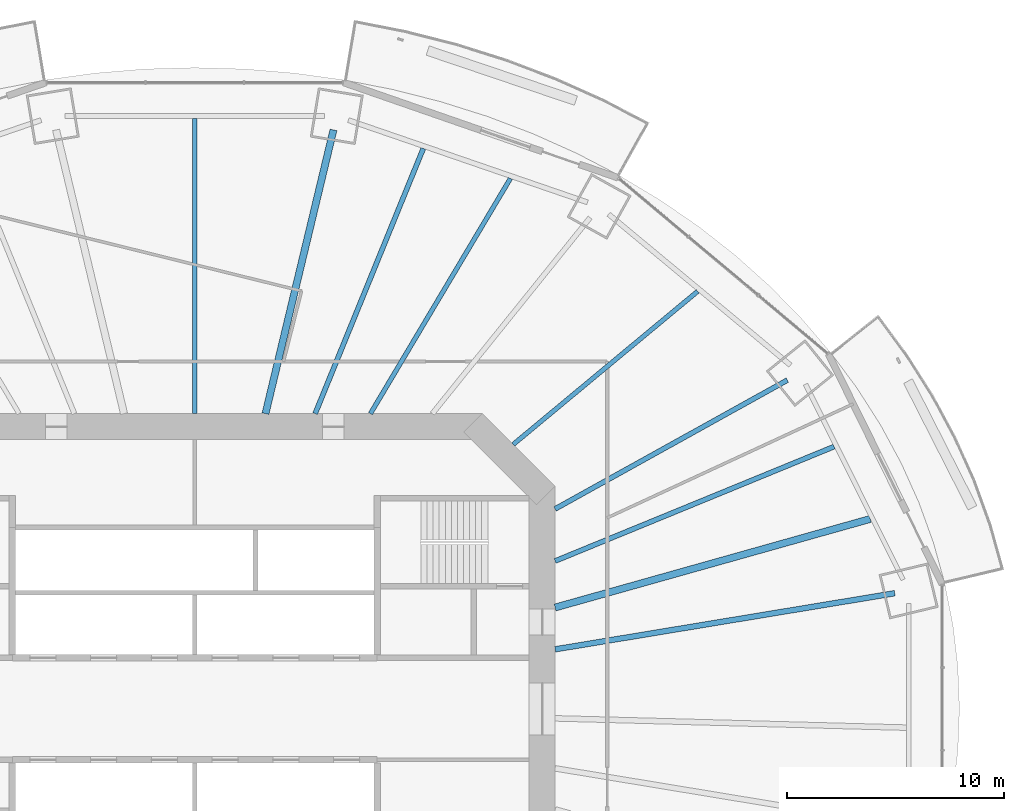
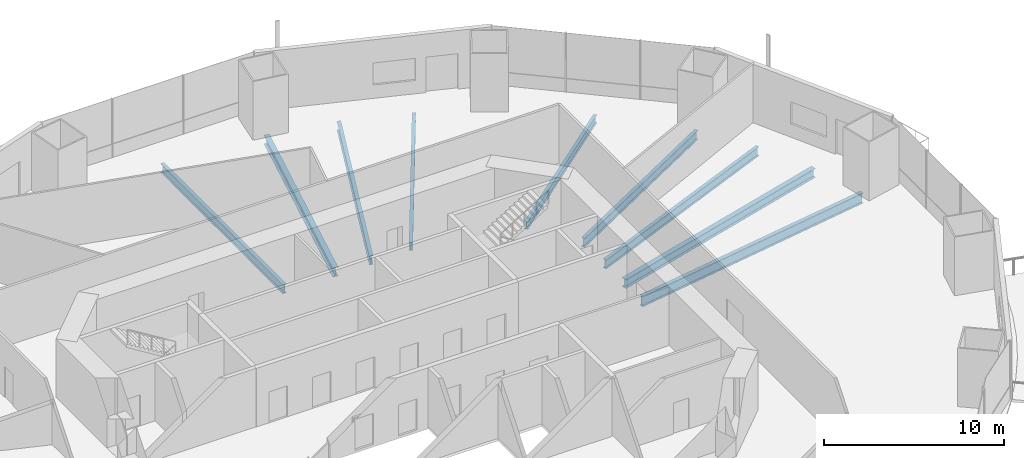
# One storey, part 8 of 22: 9 beams.
"""IFC4 building model written with IfcOpenShell, lengths in metres."""

import ifcopenshell
import ifcopenshell.guid

model = None  # the IFC model being written
_history = None  # IfcOwnerHistory: only IFC2X3 demands one
_inside = {}  # id of a spatial element -> (the spatial element, [elements in it])
_under = {}  # id of a project, library or spatial element -> (it, [spatial elements below it])
_declared = {}  # id of a project -> (the project, [libraries it declares])
_typed = {}  # id of a type object -> (the type object, [elements of that type])
_made_of = {}  # id of a material, layer set ... -> (it, [elements and type objects made of it])


def new_model(schema):
    """Start an empty IFC model of exactly this schema.

    Asked for "IFC4X3", IfcOpenShell would pick the latest addendum, in which some entities
    have other attributes; the version numbers below select the first issue.
    IFC2X3 requires an IfcOwnerHistory on every rooted entity: one is made here for all.
    """
    global model, _history
    if schema == "IFC4X3":
        model = ifcopenshell.file(schema_version=(4, 3, 0, 0))
    else:
        model = ifcopenshell.file(schema=schema)
    _inside.clear()
    _under.clear()
    _declared.clear()
    _typed.clear()
    _made_of.clear()
    _history = None
    if model.schema == "IFC2X3":
        org = make("IfcOrganization", Name="unknown")
        user = make(
            "IfcPersonAndOrganization",
            ThePerson=make("IfcPerson", FamilyName="unknown"),
            TheOrganization=org,
        )
        app = make(
            "IfcApplication",
            ApplicationDeveloper=org,
            Version="unknown",
            ApplicationFullName="unknown",
            ApplicationIdentifier="unknown",
        )
        _history = make(
            "IfcOwnerHistory",
            OwningUser=user,
            OwningApplication=app,
            ChangeAction="ADDED",
            CreationDate=0,
        )
    return model


def make(cls, **values):
    """One entity of the class cls with the attributes given. An attribute that is None is left unset."""
    return model.create_entity(
        cls, **{name: value for name, value in values.items() if value is not None}
    )


def rooted(cls, **values):
    """An entity with a GlobalId (a new one), such as an element, a storey or a relation."""
    return make(cls, GlobalId=ifcopenshell.guid.new(), OwnerHistory=_history, **values)


def si_unit(unit_type, name, prefix=None):
    """IfcSIUnit, for example si_unit("LENGTHUNIT", "METRE", prefix="MILLI")."""
    return make("IfcSIUnit", UnitType=unit_type, Prefix=prefix, Name=name)


def assignment(units):
    """IfcUnitAssignment: the units of a project."""
    return None if units is None else make("IfcUnitAssignment", Units=units)


def point(xyz):
    """IfcCartesianPoint."""
    return None if xyz is None else make("IfcCartesianPoint", Coordinates=xyz)


def direction(xyz):
    """IfcDirection."""
    return None if xyz is None else make("IfcDirection", DirectionRatios=xyz)


def frame(location, z_axis=None, x_axis=None):
    """IfcAxis2Placement3D, a coordinate frame: its origin and axes. An axis left out is left unset."""
    return make(
        "IfcAxis2Placement3D",
        Location=point(location),
        Axis=direction(z_axis),
        RefDirection=direction(x_axis),
    )


def frame_2d(location, x_axis=None):
    """IfcAxis2Placement2D, a coordinate frame in the plane: its origin and x axis."""
    return make(
        "IfcAxis2Placement2D", Location=point(location), RefDirection=direction(x_axis)
    )


def origin():
    """The frame at (0, 0, 0) with its axes left unset."""
    return frame((0.0, 0.0, 0.0))


def origin_2d():
    """The frame at (0, 0) in the plane with its x axis left unset."""
    return frame_2d((0.0, 0.0))


def place(relative_to, where):
    """IfcLocalPlacement: puts the frame where relative to a parent placement (None: the world)."""
    return make(
        "IfcLocalPlacement", PlacementRelTo=relative_to, RelativePlacement=where
    )


def context(
    kind, dimensions, precision=None, world=None, true_north=None, identifier=None
):
    """IfcGeometricRepresentationContext, for example the 3D "Model" context."""
    return make(
        "IfcGeometricRepresentationContext",
        ContextIdentifier=identifier,
        ContextType=kind,
        CoordinateSpaceDimension=dimensions,
        Precision=precision,
        WorldCoordinateSystem=world,
        TrueNorth=true_north,
    )


def subcontext(parent, identifier, kind, view, scale=None):
    """IfcGeometricRepresentationSubContext, for example "Body" below "Model"."""
    return make(
        "IfcGeometricRepresentationSubContext",
        ContextIdentifier=identifier,
        ContextType=kind,
        ParentContext=parent,
        TargetScale=scale,
        TargetView=view,
    )


def project(units=None, contexts=None):
    """IfcProject with its units and contexts."""
    return rooted(
        "IfcProject",
        Name="project",
        RepresentationContexts=contexts,
        UnitsInContext=assignment(units),
    )


def spatial(cls, under=None, at=None, **own):
    """A site, building, storey or space (cls), placed at a placement, below another one or the project."""
    s = rooted(cls, ObjectPlacement=at, **own)
    if under is not None:
        _under.setdefault(under.id(), (under, []))[1].append(s)
    return s


def profile(cls, at=None, kind="AREA", **sizes):
    """A parametric profile (cls). Its sizes go by their IFC names, for example OverallWidth=200.0."""
    return make(cls, ProfileType=kind, Position=at, **sizes)


def i_section(**sizes):
    """IfcIShapeProfileDef."""
    return profile("IfcIShapeProfileDef", **sizes)


def extrude(swept, where, along, depth):
    """IfcExtrudedAreaSolid: the profile swept, set in the frame where, extruded along a direction by depth."""
    return make(
        "IfcExtrudedAreaSolid",
        SweptArea=swept,
        Position=where,
        ExtrudedDirection=direction(along),
        Depth=depth,
    )


def shape(context_of_items, identifier, shape_type, items):
    """IfcShapeRepresentation: the items that make up one representation, for example the "Body"."""
    return make(
        "IfcShapeRepresentation",
        ContextOfItems=context_of_items,
        RepresentationIdentifier=identifier,
        RepresentationType=shape_type,
        Items=items,
    )


def material(Name=None, Category=None):
    """IfcMaterial."""
    return make("IfcMaterial", Name=Name, Category=Category)


def material_profile(
    of_material, cross_section, Name=None, Category=None, Priority=None
):
    """IfcMaterialProfile: a cross section and its material."""
    return make(
        "IfcMaterialProfile",
        Name=Name,
        Material=of_material,
        Profile=cross_section,
        Priority=Priority,
        Category=Category,
    )


def profile_set(profiles, Name=None, composite=None):
    """IfcMaterialProfileSet."""
    return make(
        "IfcMaterialProfileSet",
        Name=Name,
        MaterialProfiles=profiles,
        CompositeProfile=composite,
    )


def made_of(thing, what):
    """Note that an element or type object is made of a material, layer set ...; save() writes the relation."""
    if what is not None:
        _made_of.setdefault(what.id(), (what, []))[1].append(thing)
    return thing


def type_object(cls, material=None, **own):
    """A type object (cls), such as IfcWallType, which elements share."""
    return made_of(rooted(cls, **own), material)


def element(
    cls,
    number,
    at=None,
    inside=None,
    cuts=None,
    type_object=None,
    material=None,
    context=None,
    identifier="Body",
    shape_type=None,
    held_by="IfcProductDefinitionShape",
    body=None,
    shapes=None,
    **own,
):
    """One element of the class cls, such as IfcWall. Its Tag is "e" and its number.

    at: its placement. inside: the storey or other place that contains it. cuts: it is an
    opening in that element (IfcRelVoidsElement). A single representation is given by context,
    identifier, shape_type and body (its items); several are given by shapes. held_by: the class
    of the entity that holds the representations. save() writes the other relations.
    """
    e = rooted(cls, Tag="e%d" % number, ObjectPlacement=at, **own)
    if body is not None:
        shapes = [shape(context, identifier, shape_type, body)]
    if shapes is not None:
        e.Representation = make(held_by, Representations=shapes)
    if inside is not None:
        _inside.setdefault(inside.id(), (inside, []))[1].append(e)
    if cuts is not None:
        rooted(
            "IfcRelVoidsElement", RelatingBuildingElement=cuts, RelatedOpeningElement=e
        )
    if type_object is not None:
        _typed.setdefault(type_object.id(), (type_object, []))[1].append(e)
    return made_of(e, material)


def aggregate(whole, parts):
    """IfcRelAggregates: a whole, such as a stair, and the parts it consists of."""
    return rooted("IfcRelAggregates", RelatingObject=whole, RelatedObjects=parts)


def save(model, path):
    """Write the relations noted so far, then the file.

    IfcRelAggregates (storeys below a building ...), IfcRelContainedInSpatialStructure (elements
    in a storey), IfcRelDefinesByType, IfcRelAssociatesMaterial and IfcRelDeclares: one each for
    every whole, place, type object, material and project.
    """
    for whole, parts in _under.values():
        aggregate(whole, parts)
    for where, things in _inside.values():
        rooted(
            "IfcRelContainedInSpatialStructure",
            RelatedElements=things,
            RelatingStructure=where,
        )
    for kind, things in _typed.values():
        rooted("IfcRelDefinesByType", RelatedObjects=things, RelatingType=kind)
    for what, things in _made_of.values():
        rooted("IfcRelAssociatesMaterial", RelatedObjects=things, RelatingMaterial=what)
    for by, libraries in _declared.values():
        rooted("IfcRelDeclares", RelatingContext=by, RelatedDefinitions=libraries)
    model.write(path)


model = new_model("IFC4")

# Units and contexts
model_context = context("Model", 3, precision=1e-05, world=origin(), true_north=direction((0.0, 1.0)))
body_context = subcontext(model_context, "Body", "Model", "MODEL_VIEW")
ifc_project = project(units=[si_unit("LENGTHUNIT", "METRE"), si_unit("AREAUNIT", "SQUARE_METRE"), si_unit("VOLUMEUNIT", "CUBIC_METRE"), si_unit("PLANEANGLEUNIT", "RADIAN"), si_unit("MASSUNIT", "GRAM", prefix="KILO")], contexts=[model_context])

# Site, building, storey
site_placement = place(None, origin())
site = spatial("IfcSite", under=ifc_project, at=site_placement, CompositionType="ELEMENT")
building_placement = place(site_placement, origin())
building = spatial("IfcBuilding", under=site, at=building_placement, Name="Marenthal Gate Tower", CompositionType="ELEMENT")
storey_placement = place(building_placement, frame((0.0, 0.0, 86.949951171875)))
storey = spatial("IfcBuildingStorey", under=building, at=storey_placement, Name="L17", CompositionType="ELEMENT", Elevation=86.949951171875)

# Beams
ifc_material_1 = material(Name="Steel S355", Category="steel")
ifc_material_profile_1 = material_profile(ifc_material_1, i_section(OverallWidth=0.2099609375, OverallDepth=0.535888671875, WebThickness=0.010986328125, FlangeThickness=0.017333984375, FilletRadius=0.0126953125, at=origin_2d()), Name="W530X101")
ifc_profile_set_1 = profile_set([ifc_material_profile_1], Name="Steel S355")
beam_type_1 = type_object("IfcBeamType", Name="W530X101 beam", PredefinedType="BEAM", material=ifc_profile_set_1)
beam_1_placement = place(storey_placement, frame((23.164794921875, 19.23193359375, -0.447998046875), z_axis=(-0.769390815443, -0.638778344273, 0.0), x_axis=(0.638778344273, -0.769390815443, 0.0)))
element("IfcBeam", 1, at=beam_1_placement, inside=storey, type_object=beam_type_1, Name="BM-L17-19", PredefinedType="BEAM", context=body_context, shape_type="SweptSolid", body=[
    extrude(i_section(OverallWidth=0.2099609375, OverallDepth=0.535888671875, WebThickness=0.010986328125, FlangeThickness=0.017333984375, FilletRadius=0.0126953125, at=origin_2d()), origin(), (0.0, 0.0, 1.0), 11.041259765625),
])
ifc_material_2 = material(Name="Steel S355", Category="steel")
ifc_material_profile_2 = material_profile(ifc_material_2, i_section(OverallWidth=0.2119140625, OverallDepth=0.5439453125, WebThickness=0.01318359375, FlangeThickness=0.021240234375, FilletRadius=0.0126953125, at=origin_2d()), Name="W530X123")
ifc_profile_set_2 = profile_set([ifc_material_profile_2], Name="Steel S355")
beam_type_2 = type_object("IfcBeamType", Name="W530X123 beam", PredefinedType="BEAM", material=ifc_profile_set_2)
beam_2_placement = place(storey_placement, frame((14.539794921875, 24.431396484375, -0.451904296875), z_axis=(-0.511416092882, -0.859333218223, 0.0), x_axis=(0.859333218223, -0.511416092882, 0.0)))
element("IfcBeam", 2, at=beam_2_placement, inside=storey, type_object=beam_type_2, Name="BM-L17-20", PredefinedType="BEAM", context=body_context, shape_type="SweptSolid", body=[
    extrude(i_section(OverallWidth=0.2119140625, OverallDepth=0.5439453125, WebThickness=0.01318359375, FlangeThickness=0.021240234375, FilletRadius=0.0126953125, at=origin_2d()), origin(), (0.0, 0.0, 1.0), 12.604248046875),
])
ifc_material_3 = material(Name="Steel S355", Category="steel")
ifc_material_profile_3 = material_profile(ifc_material_3, i_section(OverallWidth=0.22900390625, OverallDepth=0.612060546875, WebThickness=0.011962890625, FlangeThickness=0.01953125, FilletRadius=0.0126953125, at=origin_2d()), Name="W610X125")
ifc_profile_set_3 = profile_set([ifc_material_profile_3], Name="Steel S355")
beam_type_3 = type_object("IfcBeamType", Name="W610X125 beam", PredefinedType="BEAM", material=ifc_profile_set_3)
beam_3_placement = place(storey_placement, frame((27.296630859375, 15.142333984375, -0.48583984375), z_axis=(-0.874458374023, -0.485100558752, 0.0), x_axis=(0.485100558752, -0.874458374023, 0.0)))
element("IfcBeam", 3, at=beam_3_placement, inside=storey, type_object=beam_type_3, Name="BM-L17-02", PredefinedType="BEAM", context=body_context, shape_type="SweptSolid", body=[
    extrude(i_section(OverallWidth=0.22900390625, OverallDepth=0.612060546875, WebThickness=0.011962890625, FlangeThickness=0.01953125, FilletRadius=0.0126953125, at=origin_2d()), origin(), (0.0, 0.0, 1.0), 12.232177734375),
])
beam_4_placement = place(storey_placement, frame((29.45068359375, 12.08056640625, -0.48583984375), z_axis=(-0.925188716507, -0.379507363365, 0.0), x_axis=(0.379507363365, -0.925188716507, 0.0)))
element("IfcBeam", 4, at=beam_4_placement, inside=storey, type_object=beam_type_3, Name="BM-L17-18", PredefinedType="BEAM", context=body_context, shape_type="SweptSolid", body=[
    extrude(i_section(OverallWidth=0.22900390625, OverallDepth=0.612060546875, WebThickness=0.011962890625, FlangeThickness=0.01953125, FilletRadius=0.0126953125, at=origin_2d()), origin(), (0.0, 0.0, 1.0), 13.8896484375),
])
beam_5_placement = place(storey_placement, frame((10.52734375, 25.811279296875, -0.48583984375), z_axis=(-0.377657332002, -0.925945430134, 0.0), x_axis=(0.925945430134, -0.377657332002, 0.0)))
element("IfcBeam", 5, at=beam_5_placement, inside=storey, type_object=beam_type_3, Name="BM-L17-21", PredefinedType="BEAM", context=body_context, shape_type="SweptSolid", body=[
    extrude(i_section(OverallWidth=0.22900390625, OverallDepth=0.612060546875, WebThickness=0.011962890625, FlangeThickness=0.01953125, FilletRadius=0.0126953125, at=origin_2d()), origin(), (0.0, 0.0, 1.0), 13.187744140625),
])
beam_6_placement = place(storey_placement, frame((0.0, 27.188720703125, -0.48583984375), z_axis=(0.0, -1.0, 0.0), x_axis=(1.0, 0.0, 0.0)))
element("IfcBeam", 6, at=beam_6_placement, inside=storey, type_object=beam_type_3, Name="BM-L17-22", PredefinedType="BEAM", context=body_context, shape_type="SweptSolid", body=[
    extrude(i_section(OverallWidth=0.22900390625, OverallDepth=0.612060546875, WebThickness=0.011962890625, FlangeThickness=0.01953125, FilletRadius=0.0126953125, at=origin_2d()), origin(), (0.0, 0.0, 1.0), 13.588623046875),
])
ifc_material_4 = material(Name="Steel S355", Category="steel")
ifc_material_profile_4 = material_profile(ifc_material_4, i_section(OverallWidth=0.324951171875, OverallDepth=0.612060546875, WebThickness=0.0126953125, FlangeThickness=0.01904296875, FilletRadius=0.0126953125, at=origin_2d()), Name="W610X155")
ifc_profile_set_4 = profile_set([ifc_material_profile_4], Name="Steel S355")
beam_type_4 = type_object("IfcBeamType", Name="W610X155 beam", PredefinedType="BEAM", material=ifc_profile_set_4)
beam_7_placement = place(storey_placement, frame((6.389404296875, 26.668212890625, -0.48583984375), z_axis=(-0.233003942161, -0.972475790412, 0.0), x_axis=(0.972475790412, -0.233003942161, 0.0)))
element("IfcBeam", 7, at=beam_7_placement, inside=storey, type_object=beam_type_4, Name="BM-L17-04", PredefinedType="BEAM", context=body_context, shape_type="SweptSolid", body=[
    extrude(i_section(OverallWidth=0.324951171875, OverallDepth=0.612060546875, WebThickness=0.0126953125, FlangeThickness=0.01904296875, FilletRadius=0.0126953125, at=origin_2d()), origin(), (0.0, 0.0, 1.0), 13.43798828125),
])
beam_8_placement = place(storey_placement, frame((31.114013671875, 8.74658203125, -0.48583984375), z_axis=(-0.962684828959, -0.270625054443, 0.0), x_axis=(0.270625054443, -0.962684828959, 0.0)))
element("IfcBeam", 8, at=beam_8_placement, inside=storey, type_object=beam_type_4, Name="BM-L17-17", PredefinedType="BEAM", context=body_context, shape_type="SweptSolid", body=[
    extrude(i_section(OverallWidth=0.324951171875, OverallDepth=0.612060546875, WebThickness=0.0126953125, FlangeThickness=0.01904296875, FilletRadius=0.0126953125, at=origin_2d()), origin(), (0.0, 0.0, 1.0), 15.076416015625),
])
ifc_material_5 = material(Name="Steel S355", Category="steel")
ifc_material_profile_5 = material_profile(ifc_material_5, i_section(OverallWidth=0.257080078125, OverallDepth=0.693115234375, WebThickness=0.014404296875, FlangeThickness=0.023681640625, FilletRadius=0.015380859375, at=origin_2d()), Name="W690X170")
ifc_profile_set_5 = profile_set([ifc_material_profile_5], Name="Steel S355")
beam_type_5 = type_object("IfcBeamType", Name="W690X170 beam", PredefinedType="BEAM", material=ifc_profile_set_5)
beam_9_placement = place(storey_placement, frame((32.242431640625, 5.324462890625, -0.5263671875), z_axis=(-0.986636314494, -0.162937972619, 0.0), x_axis=(0.162937972619, -0.986636314494, 0.0)))
element("IfcBeam", 9, at=beam_9_placement, inside=storey, type_object=beam_type_5, Name="BM-L17-01", PredefinedType="BEAM", context=body_context, shape_type="SweptSolid", body=[
    extrude(i_section(OverallWidth=0.257080078125, OverallDepth=0.693115234375, WebThickness=0.014404296875, FlangeThickness=0.023681640625, FilletRadius=0.015380859375, at=origin_2d()), origin(), (0.0, 0.0, 1.0), 15.854248046875),
])

save(model, "model.ifc")
